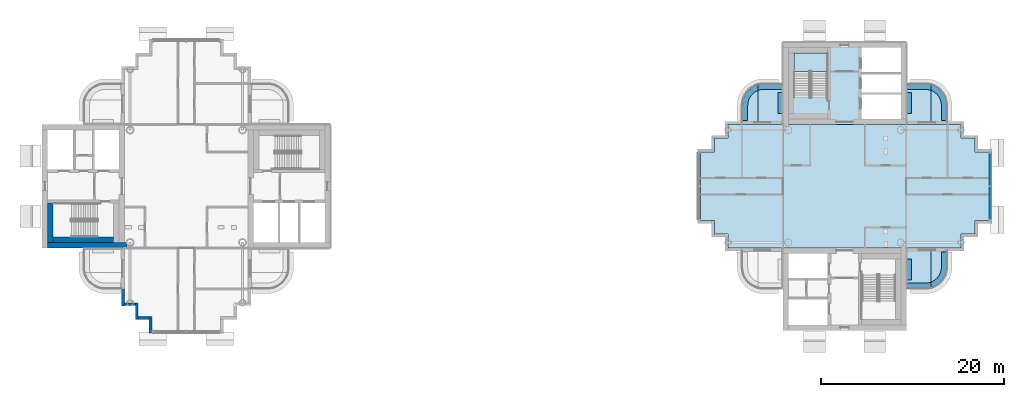
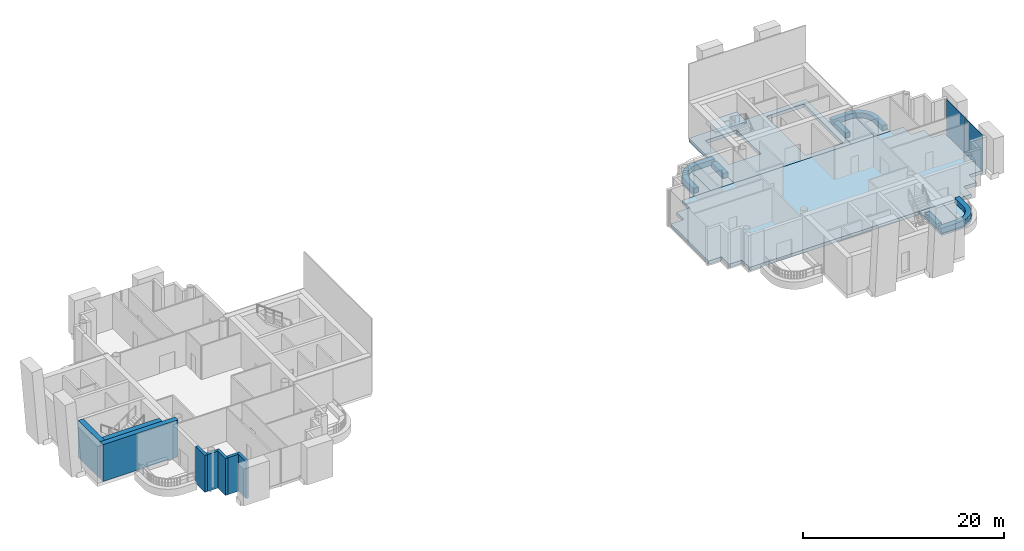
# One storey, part 6 of 20: 18 slabs, 8 walls, 2 plates, 2 elements without a shape of their own.
"""IFC4 building model written with IfcOpenShell, lengths in metres."""

from ifc_helpers import new_model, si_unit, direction, frame, frame_2d, origin, origin_2d, place, context, subcontext, project, spatial, polyline, rectangle, outline, extrude, material, layer, layer_set, type_object, element, aggregate, save


model = new_model("IFC4")

# Units and contexts
model_context = context("Model", 3, precision=1e-05, world=origin(), true_north=direction((0.0, 1.0)))
body_context = subcontext(model_context, "Body", "Model", "MODEL_VIEW")
ifc_project = project(units=[si_unit("LENGTHUNIT", "METRE"), si_unit("AREAUNIT", "SQUARE_METRE"), si_unit("VOLUMEUNIT", "CUBIC_METRE"), si_unit("PLANEANGLEUNIT", "RADIAN"), si_unit("MASSUNIT", "GRAM", prefix="KILO")], contexts=[model_context])

# Site, building, storey
site_placement = place(None, origin())
site = spatial("IfcSite", under=ifc_project, at=site_placement, CompositionType="ELEMENT")
building_placement = place(site_placement, origin())
building = spatial("IfcBuilding", under=site, at=building_placement, Name="Ipe Terrace Towers", CompositionType="ELEMENT")
storey_placement = place(building_placement, frame((0.0, 0.0, 242.39990234375)))
storey = spatial("IfcBuildingStorey", under=building, at=storey_placement, Name="L67", CompositionType="ELEMENT", Elevation=242.39990234375)

# Slabs
ifc_material_1 = material(Name="Concrete C30/37", Category="concrete")
ifc_layer_1 = layer(ifc_material_1, 0.199951171875)
ifc_layer_set_1 = layer_set([ifc_layer_1], Name="BALCONY SLAB 200")
slab_type_1 = type_object("IfcSlabType", Name="BALCONY SLAB 200", PredefinedType="FLOOR", material=ifc_layer_set_1)
slab_1_placement = place(storey_placement, frame((0.0, 0.0, -0.219970703125)))
element("IfcSlab", 1, at=slab_1_placement, inside=storey, type_object=slab_type_1, Name="balcony slab", PredefinedType="FLOOR", context=body_context, shape_type="SweptSolid", body=[
    extrude(outline(polyline([(26.8369140625, 11.22900390625), (26.550048828125, 11.172119140625), (26.550048828125, 6.75), (29.25, 6.75), (29.25, 11.25), (27.14990234375, 11.25), (26.8369140625, 11.22900390625)])), origin(), (0.0, 0.0, 1.0), 0.199951171875),
])
slab_2_placement = place(storey_placement, frame((0.0, 0.0, -0.219970703125)))
element("IfcSlab", 2, at=slab_2_placement, inside=storey, type_object=slab_type_1, Name="balcony slab", PredefinedType="FLOOR", context=body_context, shape_type="SweptSolid", body=[
    extrude(outline(polyline([(24.75, 6.75), (26.550048828125, 6.75), (26.550048828125, 11.172119140625), (26.529052734375, 11.16796875), (26.23193359375, 11.06689453125), (25.949951171875, 10.927978515625), (25.68896484375, 10.75390625), (25.452880859375, 10.547119140625), (25.24609375, 10.31103515625), (25.072021484375, 10.050048828125), (24.93310546875, 9.76806640625), (24.83203125, 9.470947265625), (24.77099609375, 9.1630859375), (24.75, 8.85009765625), (24.75, 6.75)])), origin(), (0.0, 0.0, 1.0), 0.199951171875),
])
slab_3_placement = place(storey_placement, frame((0.0, 0.0, -0.219970703125)))
element("IfcSlab", 3, at=slab_3_placement, inside=storey, type_object=slab_type_1, Name="balcony slab", PredefinedType="FLOOR", context=body_context, shape_type="SweptSolid", body=[
    extrude(outline(polyline([(45.1630859375, -11.22900390625), (45.449951171875, -11.172119140625), (45.449951171875, -6.75), (42.75, -6.75), (42.75, -11.25), (44.85009765625, -11.25), (45.1630859375, -11.22900390625)])), origin(), (0.0, 0.0, 1.0), 0.199951171875),
])
slab_4_placement = place(storey_placement, frame((0.0, 0.0, -0.219970703125)))
element("IfcSlab", 4, at=slab_4_placement, inside=storey, type_object=slab_type_1, Name="balcony slab", PredefinedType="FLOOR", context=body_context, shape_type="SweptSolid", body=[
    extrude(outline(polyline([(47.25, -6.75), (45.449951171875, -6.75), (45.449951171875, -11.172119140625), (45.470947265625, -11.16796875), (45.76806640625, -11.06689453125), (46.050048828125, -10.927978515625), (46.31103515625, -10.75390625), (46.547119140625, -10.547119140625), (46.75390625, -10.31103515625), (46.927978515625, -10.050048828125), (47.06689453125, -9.76806640625), (47.16796875, -9.470947265625), (47.22900390625, -9.1630859375), (47.25, -8.85009765625), (47.25, -6.75)])), origin(), (0.0, 0.0, 1.0), 0.199951171875),
])
slab_5_placement = place(storey_placement, frame((0.0, 0.0, -0.219970703125)))
element("IfcSlab", 5, at=slab_5_placement, inside=storey, type_object=slab_type_1, Name="balcony slab", PredefinedType="FLOOR", context=body_context, shape_type="SweptSolid", body=[
    extrude(outline(polyline([(45.1630859375, 11.22900390625), (44.85009765625, 11.25), (42.75, 11.25), (42.75, 6.75), (45.449951171875, 6.75), (45.449951171875, 11.172119140625), (45.1630859375, 11.22900390625)])), origin(), (0.0, 0.0, 1.0), 0.199951171875),
])
slab_6_placement = place(storey_placement, frame((0.0, 0.0, -0.219970703125)))
element("IfcSlab", 6, at=slab_6_placement, inside=storey, type_object=slab_type_1, Name="balcony slab", PredefinedType="FLOOR", context=body_context, shape_type="SweptSolid", body=[
    extrude(outline(polyline([(47.25, 6.75), (47.25, 8.85009765625), (47.22900390625, 9.1630859375), (47.16796875, 9.470947265625), (47.06689453125, 9.76806640625), (46.927978515625, 10.050048828125), (46.75390625, 10.31103515625), (46.547119140625, 10.547119140625), (46.31103515625, 10.75390625), (46.050048828125, 10.927978515625), (45.76806640625, 11.06689453125), (45.470947265625, 11.16796875), (45.449951171875, 11.172119140625), (45.449951171875, 6.75), (47.25, 6.75)])), origin(), (0.0, 0.0, 1.0), 0.199951171875),
])
ifc_material_2 = material(Name="Concrete C30/37", Category="concrete")
ifc_layer_2 = layer(ifc_material_2, 0.39990234375)
ifc_layer_set_2 = layer_set([ifc_layer_2], Name="CORE FLOOR SLAB 400 C30-37")
slab_type_2 = type_object("IfcSlabType", Name="CORE FLOOR SLAB 400 C30-37", PredefinedType="FLOOR", material=ifc_layer_set_2)
slab_7_placement = place(storey_placement, frame((0.0, 0.0, -0.39990234375)))
element("IfcSlab", 7, at=slab_7_placement, inside=storey, type_object=slab_type_2, Name="Core floor T2-C1", PredefinedType="FLOOR", context=body_context, shape_type="SweptSolid", body=[
    extrude(outline(polyline([(29.25, 6.75), (29.25, 15.75), (42.75, 15.75), (42.75, 6.75), (29.25, 6.75)]), holes=[polyline([(42.14990234375, 7.35009765625), (42.14990234375, 15.14990234375), (37.85009765625, 15.14990234375), (37.85009765625, 7.35009765625), (42.14990234375, 7.35009765625)]), polyline([(30.449951171875, 9.800048828125), (34.10009765625, 9.800048828125), (34.10009765625, 14.550048828125), (30.449951171875, 14.550048828125), (30.449951171875, 9.800048828125)])]), origin(), (0.0, 0.0, 1.0), 0.39990234375),
])

# Stair, slab
ifc_material_3 = material(Name="Concrete C30/37", Category="concrete")
stair_type = type_object("IfcStairType", Name="Protected exit stair", PredefinedType="HALF_TURN_STAIR", material=ifc_material_3)
stair_placement = place(storey_placement, origin())
stair = element("IfcStair", 8, at=stair_placement, inside=storey, type_object=stair_type, Name="L67 Exit stair T2-C1", PredefinedType="HALF_TURN_STAIR")
ifc_material_4 = material(Name="Concrete C30/37", Category="concrete")
ifc_layer_3 = layer(ifc_material_4, 0.199951171875)
ifc_layer_set_3 = layer_set([ifc_layer_3], Name="Exit stair landing 200")
slab_type_3 = type_object("IfcSlabType", Name="Exit stair landing 200", PredefinedType="LANDING", material=ifc_layer_set_3)
slab_8_placement = place(storey_placement, frame((0.0, 0.0, 2.050048828125)))
slab_8 = element("IfcSlab", 9, at=slab_8_placement, type_object=slab_type_3, Name="T2-ST1 landing 1", PredefinedType="LANDING", context=body_context, shape_type="SweptSolid", body=[
    extrude(outline(polyline([(34.10009765625, 12.56005859375), (34.10009765625, 14.550048828125), (30.449951171875, 14.550048828125), (30.449951171875, 12.56005859375), (34.10009765625, 12.56005859375)])), origin(), (0.0, 0.0, 1.0), 0.199951171875),
])
aggregate(stair, [slab_8])

# Slab
ifc_material_5 = material(Name="Concrete C40/50", Category="concrete")
ifc_layer_4 = layer(ifc_material_5, 0.39990234375)
ifc_layer_set_4 = layer_set([ifc_layer_4], Name="FLAT PLATE SLAB 400 C40-50")
slab_type_4 = type_object("IfcSlabType", Name="FLAT PLATE SLAB 400 C40-50", PredefinedType="FLOOR", material=ifc_layer_set_4)
slab_9_placement = place(storey_placement, frame((0.0, 0.0, -0.39990234375)))
element("IfcSlab", 10, at=slab_9_placement, inside=storey, type_object=slab_type_4, Name="Slab T2-FS-Z41", PredefinedType="FLOOR", context=body_context, shape_type="SweptSolid", body=[
    extrude(outline(polyline([(48.75, 5.25), (50.25, 5.25), (50.25, 3.75), (51.75, 3.75), (51.75, -3.75), (50.25, -3.75), (50.25, -5.25), (48.75, -5.25), (48.75, -6.75), (42.75, -6.75), (29.25, -6.75), (23.25, -6.75), (23.25, -5.25), (21.75, -5.25), (21.75, -3.75), (20.25, -3.75), (20.25, 3.75), (21.75, 3.75), (21.75, 5.25), (23.25, 5.25), (23.25, 6.75), (29.25, 6.75), (42.75, 6.75), (48.75, 6.75), (48.75, 5.25)])), origin(), (0.0, 0.0, 1.0), 0.39990234375),
])

# Curtain wall, plates
ifc_material_6 = material(Name="Aluminium alloy 6063-T6", Category="aluminium")
ifc_layer_5 = layer(ifc_material_6, 0.320068359375)
ifc_layer_set_5 = layer_set([ifc_layer_5], Name="LANTERN CURTAIN WALL")
curtain_wall_type = type_object("IfcCurtainWallType", Name="LANTERN CURTAIN WALL", PredefinedType="NOTDEFINED", material=ifc_layer_set_5)
curtain_wall_placement = place(storey_placement, origin())
curtain_wall = element("IfcCurtainWall", 11, at=curtain_wall_placement, inside=storey, type_object=curtain_wall_type, Name="T2-CW-L67-08a curtain wall", PredefinedType="NOTDEFINED")
ifc_material_7 = material(Name="Glass, clear laminated", Category="glass")
ifc_layer_6 = layer(ifc_material_7, 0.0400390625)
ifc_layer_set_6 = layer_set([ifc_layer_6], Name="LANTERN GLASS PANEL 40")
plate_type = type_object("IfcPlateType", Name="LANTERN GLASS PANEL 40", PredefinedType="CURTAIN_PANEL", material=ifc_layer_set_6)
plate_1_placement = place(storey_placement, frame((51.875, -1.824951171875, -0.2998046875), z_axis=(0.0, 0.0, 1.0), x_axis=(0.0, 1.0, 0.0)))
plate_1 = element("IfcPlate", 12, at=plate_1_placement, type_object=plate_type, Name="T2-CW-L67-08a panel 1", PredefinedType="CURTAIN_PANEL", context=body_context, shape_type="SweptSolid", body=[
    extrude(rectangle(XDim=3.570068359375, YDim=0.0400390625, at=origin_2d()), origin(), (0.0, 0.0, 1.0), 4.5),
])
plate_2_placement = place(storey_placement, frame((51.875, 1.824951171875, -0.2998046875), z_axis=(0.0, 0.0, 1.0), x_axis=(0.0, 1.0, 0.0)))
plate_2 = element("IfcPlate", 13, at=plate_2_placement, type_object=plate_type, Name="T2-CW-L67-08a panel 2", PredefinedType="CURTAIN_PANEL", context=body_context, shape_type="SweptSolid", body=[
    extrude(rectangle(XDim=3.570068359375, YDim=0.0400390625, at=origin_2d()), origin(), (0.0, 0.0, 1.0), 4.5),
])
aggregate(curtain_wall, [plate_1, plate_2])

# Slabs
ifc_material_8 = material(Name="Concrete C30/37", Category="concrete")
ifc_layer_7 = layer(ifc_material_8, 0.60009765625)
ifc_layer_set_7 = layer_set([ifc_layer_7], Name="PLANTER TROUGH 550 x 600")
slab_type_5 = type_object("IfcSlabType", Name="PLANTER TROUGH 550 x 600", PredefinedType="USERDEFINED", material=ifc_layer_set_7)
slab_10_placement = place(storey_placement, frame((0.0, 0.0, -0.02001953125)))
element("IfcSlab", 14, at=slab_10_placement, inside=storey, type_object=slab_type_5, Name="planter", ObjectType="PLANTER", PredefinedType="USERDEFINED", context=body_context, shape_type="SweptSolid", body=[
    extrude(outline(polyline([(26.699951171875, 10.529052734375), (26.923095703125, 10.573974609375), (27.172119140625, 10.590087890625), (29.25, 10.590087890625), (29.25, 11.139892578125), (27.1630859375, 11.139892578125), (27.14501953125, 11.138916015625), (26.868896484375, 11.12109375), (26.8330078125, 11.116943359375), (26.574951171875, 11.06494140625), (26.550048828125, 11.05908203125), (26.550048828125, 10.47802734375), (26.699951171875, 10.529052734375)])), origin(), (0.0, 0.0, 1.0), 0.60009765625),
])
slab_11_placement = place(storey_placement, frame((0.0, 0.0, -0.02001953125)))
element("IfcSlab", 15, at=slab_11_placement, inside=storey, type_object=slab_type_5, Name="planter", ObjectType="PLANTER", PredefinedType="USERDEFINED", context=body_context, shape_type="SweptSolid", body=[
    extrude(outline(polyline([(26.485107421875, 10.4560546875), (26.550048828125, 10.47802734375), (26.550048828125, 11.05908203125), (26.5400390625, 11.055908203125), (26.291015625, 10.970947265625), (26.258056640625, 10.95703125), (26.02099609375, 10.841064453125), (25.989990234375, 10.822998046875), (25.77099609375, 10.677001953125), (25.742919921875, 10.655029296875), (25.5439453125, 10.48095703125), (25.51904296875, 10.4560546875), (25.344970703125, 10.257080078125), (25.322998046875, 10.22900390625), (25.177001953125, 10.010009765625), (25.158935546875, 9.97900390625), (25.04296875, 9.741943359375), (25.029052734375, 9.708984375), (24.944091796875, 9.4599609375), (24.93505859375, 9.425048828125), (24.883056640625, 9.1669921875), (24.87890625, 9.131103515625), (24.861083984375, 8.85498046875), (24.860107421875, 8.8369140625), (24.860107421875, 7.199951171875), (25.409912109375, 7.199951171875), (25.409912109375, 8.827880859375), (25.426025390625, 9.076904296875), (25.470947265625, 9.300048828125), (25.5439453125, 9.514892578125), (25.64404296875, 9.718994140625), (25.77099609375, 9.907958984375), (25.9208984375, 10.0791015625), (26.092041015625, 10.22900390625), (26.281005859375, 10.35595703125), (26.485107421875, 10.4560546875)])), origin(), (0.0, 0.0, 1.0), 0.60009765625),
])
slab_12_placement = place(storey_placement, frame((0.0, 0.0, -0.02001953125)))
element("IfcSlab", 16, at=slab_12_placement, inside=storey, type_object=slab_type_5, Name="planter", ObjectType="PLANTER", PredefinedType="USERDEFINED", context=body_context, shape_type="SweptSolid", body=[
    extrude(outline(polyline([(29.25, 7.949951171875), (29.25, 10.25), (28.699951171875, 10.25), (28.699951171875, 7.949951171875), (29.25, 7.949951171875)])), origin(), (0.0, 0.0, 1.0), 0.60009765625),
])
slab_13_placement = place(storey_placement, frame((0.0, 0.0, -0.02001953125)))
element("IfcSlab", 17, at=slab_13_placement, inside=storey, type_object=slab_type_5, Name="planter", ObjectType="PLANTER", PredefinedType="USERDEFINED", context=body_context, shape_type="SweptSolid", body=[
    extrude(outline(polyline([(45.300048828125, -10.529052734375), (45.076904296875, -10.573974609375), (44.827880859375, -10.590087890625), (42.75, -10.590087890625), (42.75, -11.139892578125), (44.8369140625, -11.139892578125), (44.85498046875, -11.138916015625), (45.131103515625, -11.12109375), (45.1669921875, -11.116943359375), (45.425048828125, -11.06494140625), (45.449951171875, -11.05908203125), (45.449951171875, -10.47802734375), (45.300048828125, -10.529052734375)])), origin(), (0.0, 0.0, 1.0), 0.60009765625),
])
slab_14_placement = place(storey_placement, frame((0.0, 0.0, -0.02001953125)))
element("IfcSlab", 18, at=slab_14_placement, inside=storey, type_object=slab_type_5, Name="planter", ObjectType="PLANTER", PredefinedType="USERDEFINED", context=body_context, shape_type="SweptSolid", body=[
    extrude(outline(polyline([(45.514892578125, -10.4560546875), (45.449951171875, -10.47802734375), (45.449951171875, -11.05908203125), (45.4599609375, -11.055908203125), (45.708984375, -10.970947265625), (45.741943359375, -10.95703125), (45.97900390625, -10.841064453125), (46.010009765625, -10.822998046875), (46.22900390625, -10.677001953125), (46.257080078125, -10.655029296875), (46.4560546875, -10.48095703125), (46.48095703125, -10.4560546875), (46.655029296875, -10.257080078125), (46.677001953125, -10.22900390625), (46.822998046875, -10.010009765625), (46.841064453125, -9.97900390625), (46.95703125, -9.741943359375), (46.970947265625, -9.708984375), (47.055908203125, -9.4599609375), (47.06494140625, -9.425048828125), (47.116943359375, -9.1669921875), (47.12109375, -9.131103515625), (47.138916015625, -8.85498046875), (47.139892578125, -8.8369140625), (47.139892578125, -7.199951171875), (46.590087890625, -7.199951171875), (46.590087890625, -8.827880859375), (46.573974609375, -9.076904296875), (46.529052734375, -9.300048828125), (46.4560546875, -9.514892578125), (46.35595703125, -9.718994140625), (46.22900390625, -9.907958984375), (46.0791015625, -10.0791015625), (45.907958984375, -10.22900390625), (45.718994140625, -10.35595703125), (45.514892578125, -10.4560546875)])), origin(), (0.0, 0.0, 1.0), 0.60009765625),
])
slab_15_placement = place(storey_placement, frame((0.0, 0.0, -0.02001953125)))
element("IfcSlab", 19, at=slab_15_placement, inside=storey, type_object=slab_type_5, Name="planter", ObjectType="PLANTER", PredefinedType="USERDEFINED", context=body_context, shape_type="SweptSolid", body=[
    extrude(outline(polyline([(42.75, -7.949951171875), (42.75, -10.25), (43.300048828125, -10.25), (43.300048828125, -7.949951171875), (42.75, -7.949951171875)])), origin(), (0.0, 0.0, 1.0), 0.60009765625),
])
slab_16_placement = place(storey_placement, frame((0.0, 0.0, -0.02001953125)))
element("IfcSlab", 20, at=slab_16_placement, inside=storey, type_object=slab_type_5, Name="planter", ObjectType="PLANTER", PredefinedType="USERDEFINED", context=body_context, shape_type="SweptSolid", body=[
    extrude(outline(polyline([(45.300048828125, 10.529052734375), (45.449951171875, 10.47802734375), (45.449951171875, 11.05908203125), (45.425048828125, 11.06494140625), (45.1669921875, 11.116943359375), (45.131103515625, 11.12109375), (44.85498046875, 11.138916015625), (44.8369140625, 11.139892578125), (42.75, 11.139892578125), (42.75, 10.590087890625), (44.827880859375, 10.590087890625), (45.076904296875, 10.573974609375), (45.300048828125, 10.529052734375)])), origin(), (0.0, 0.0, 1.0), 0.60009765625),
])
slab_17_placement = place(storey_placement, frame((0.0, 0.0, -0.02001953125)))
element("IfcSlab", 21, at=slab_17_placement, inside=storey, type_object=slab_type_5, Name="planter", ObjectType="PLANTER", PredefinedType="USERDEFINED", context=body_context, shape_type="SweptSolid", body=[
    extrude(outline(polyline([(45.514892578125, 10.4560546875), (45.718994140625, 10.35595703125), (45.907958984375, 10.22900390625), (46.0791015625, 10.0791015625), (46.22900390625, 9.907958984375), (46.35595703125, 9.718994140625), (46.4560546875, 9.514892578125), (46.529052734375, 9.300048828125), (46.573974609375, 9.076904296875), (46.590087890625, 8.827880859375), (46.590087890625, 7.199951171875), (47.139892578125, 7.199951171875), (47.139892578125, 8.8369140625), (47.138916015625, 8.85498046875), (47.12109375, 9.131103515625), (47.116943359375, 9.1669921875), (47.06494140625, 9.425048828125), (47.055908203125, 9.4599609375), (46.970947265625, 9.708984375), (46.95703125, 9.741943359375), (46.841064453125, 9.97900390625), (46.822998046875, 10.010009765625), (46.677001953125, 10.22900390625), (46.655029296875, 10.257080078125), (46.48095703125, 10.4560546875), (46.4560546875, 10.48095703125), (46.257080078125, 10.655029296875), (46.22900390625, 10.677001953125), (46.010009765625, 10.822998046875), (45.97900390625, 10.841064453125), (45.741943359375, 10.95703125), (45.708984375, 10.970947265625), (45.4599609375, 11.055908203125), (45.449951171875, 11.05908203125), (45.449951171875, 10.47802734375), (45.514892578125, 10.4560546875)])), origin(), (0.0, 0.0, 1.0), 0.60009765625),
])
slab_18_placement = place(storey_placement, frame((0.0, 0.0, -0.02001953125)))
element("IfcSlab", 22, at=slab_18_placement, inside=storey, type_object=slab_type_5, Name="planter", ObjectType="PLANTER", PredefinedType="USERDEFINED", context=body_context, shape_type="SweptSolid", body=[
    extrude(outline(polyline([(42.75, 7.949951171875), (43.300048828125, 7.949951171875), (43.300048828125, 10.25), (42.75, 10.25), (42.75, 7.949951171875)])), origin(), (0.0, 0.0, 1.0), 0.60009765625),
])

# Walls
ifc_material_9 = material(Name="Concrete C40/50 with buff precast cladding", Category="concrete")
ifc_layer_8 = layer(ifc_material_9, 0.320068359375)
ifc_layer_set_8 = layer_set([ifc_layer_8], Name="BUFF CLADDING WALL 320")
wall_type_1 = type_object("IfcWallType", Name="BUFF CLADDING WALL 320", PredefinedType="STANDARD", material=ifc_layer_set_8)
wall_1_placement = place(storey_placement, frame((-42.909912109375, -11.25, -0.2998046875), z_axis=(0.0, 0.0, 1.0), x_axis=(0.0, -1.0, 0.0)))
element("IfcWall", 23, at=wall_1_placement, inside=storey, type_object=wall_type_1, Name="T1-W-L67-03a wall", PredefinedType="STANDARD", context=body_context, shape_type="SweptSolid", body=[
    extrude(rectangle(XDim=1.820068359375, YDim=0.320068359375, at=frame_2d((0.91015625, 0.0))), origin(), (0.0, 0.0, 1.0), 4.5),
])
wall_2_placement = place(storey_placement, frame((-42.75, -12.909912109375, -0.2998046875), z_axis=(0.0, 0.0, 1.0), x_axis=(1.0, 0.0, 0.0)))
element("IfcWall", 24, at=wall_2_placement, inside=storey, type_object=wall_type_1, Name="T1-W-L67-04a wall", PredefinedType="STANDARD", context=body_context, shape_type="SweptSolid", body=[
    extrude(rectangle(XDim=1.179931640625, YDim=0.320068359375, at=frame_2d((0.58984375, 0.0))), origin(), (0.0, 0.0, 1.0), 4.5),
])
wall_3_placement = place(storey_placement, frame((-41.409912109375, -12.75, -0.2998046875), z_axis=(0.0, 0.0, 1.0), x_axis=(0.0, -1.0, 0.0)))
element("IfcWall", 25, at=wall_3_placement, inside=storey, type_object=wall_type_1, Name="T1-W-L67-05a wall", PredefinedType="STANDARD", context=body_context, shape_type="SweptSolid", body=[
    extrude(rectangle(XDim=1.820068359375, YDim=0.320068359375, at=frame_2d((0.91015625, 0.0))), origin(), (0.0, 0.0, 1.0), 4.5),
])
wall_4_placement = place(storey_placement, frame((-41.25, -14.409912109375, -0.2998046875), z_axis=(0.0, 0.0, 1.0), x_axis=(1.0, 0.0, 0.0)))
element("IfcWall", 26, at=wall_4_placement, inside=storey, type_object=wall_type_1, Name="T1-W-L67-06a wall", PredefinedType="STANDARD", context=body_context, shape_type="SweptSolid", body=[
    extrude(rectangle(XDim=1.179931640625, YDim=0.320068359375, at=frame_2d((0.58984375, 0.0))), origin(), (0.0, 0.0, 1.0), 4.5),
])
wall_5_placement = place(storey_placement, frame((-39.909912109375, -14.25, -0.2998046875), z_axis=(0.0, 0.0, 1.0), x_axis=(0.0, -1.0, 0.0)))
element("IfcWall", 27, at=wall_5_placement, inside=storey, type_object=wall_type_1, Name="T1-W-L67-07a wall", PredefinedType="STANDARD", context=body_context, shape_type="SweptSolid", body=[
    extrude(rectangle(XDim=1.820068359375, YDim=0.320068359375, at=frame_2d((0.91015625, 0.0))), origin(), (0.0, 0.0, 1.0), 4.5),
])
ifc_material_10 = material(Name="Concrete C40/50", Category="concrete")
ifc_layer_9 = layer(ifc_material_10, 0.60009765625)
ifc_layer_set_9 = layer_set([ifc_layer_9], Name="RW600 CORE INFILL WALL 600 C40-50")
wall_type_2 = type_object("IfcWallType", Name="RW600 CORE INFILL WALL 600 C40-50", PredefinedType="SHEAR", material=ifc_layer_set_9)
wall_6_placement = place(storey_placement, frame((-50.85009765625, -1.85009765625, 0.0), z_axis=(0.0, 0.0, 1.0), x_axis=(0.0, -1.0, 0.0)))
element("IfcWall", 28, at=wall_6_placement, inside=storey, type_object=wall_type_2, Name="Core infill wall T1-C2-far", PredefinedType="SHEAR", context=body_context, shape_type="SweptSolid", body=[
    extrude(rectangle(XDim=4.2998046875, YDim=0.60009765625, at=frame_2d((2.14990234375, 0.0))), origin(), (0.0, 0.0, 1.0), 4.5),
])
wall_7_placement = place(storey_placement, frame((-43.949951171875, -5.85009765625, 0.0), z_axis=(0.0, 0.0, 1.0), x_axis=(-1.0, 0.0, 0.0)))
element("IfcWall", 29, at=wall_7_placement, inside=storey, type_object=wall_type_2, Name="Core infill wall T1-C2-back", PredefinedType="SHEAR", context=body_context, shape_type="SweptSolid", body=[
    extrude(rectangle(XDim=6.60009765625, YDim=0.60009765625, at=frame_2d((3.300048828125, 0.0))), origin(), (0.0, 0.0, 1.0), 4.5),
])
ifc_material_11 = material(Name="Concrete C40/50", Category="concrete")
ifc_layer_10 = layer(ifc_material_11, 0.60009765625)
ifc_layer_set_10 = layer_set([ifc_layer_10], Name="RW600 CORE WALL 600 C40-50")
wall_type_3 = type_object("IfcWallType", Name="RW600 CORE WALL 600 C40-50", PredefinedType="SHEAR", material=ifc_layer_set_10)
wall_8_placement = place(storey_placement, frame((-51.14990234375, -6.449951171875, 0.0), z_axis=(0.0, 0.0, 1.0), x_axis=(1.0, 0.0, 0.0)))
element("IfcWall", 30, at=wall_8_placement, inside=storey, type_object=wall_type_3, Name="Core wall T1-C2-Z4-W01", PredefinedType="SHEAR", context=body_context, shape_type="SweptSolid", body=[
    extrude(rectangle(XDim=8.64794921875, YDim=0.60009765625, at=frame_2d((4.323974609375, 0.0))), origin(), (0.0, 0.0, 1.0), 4.5),
])

save(model, "model.ifc")
